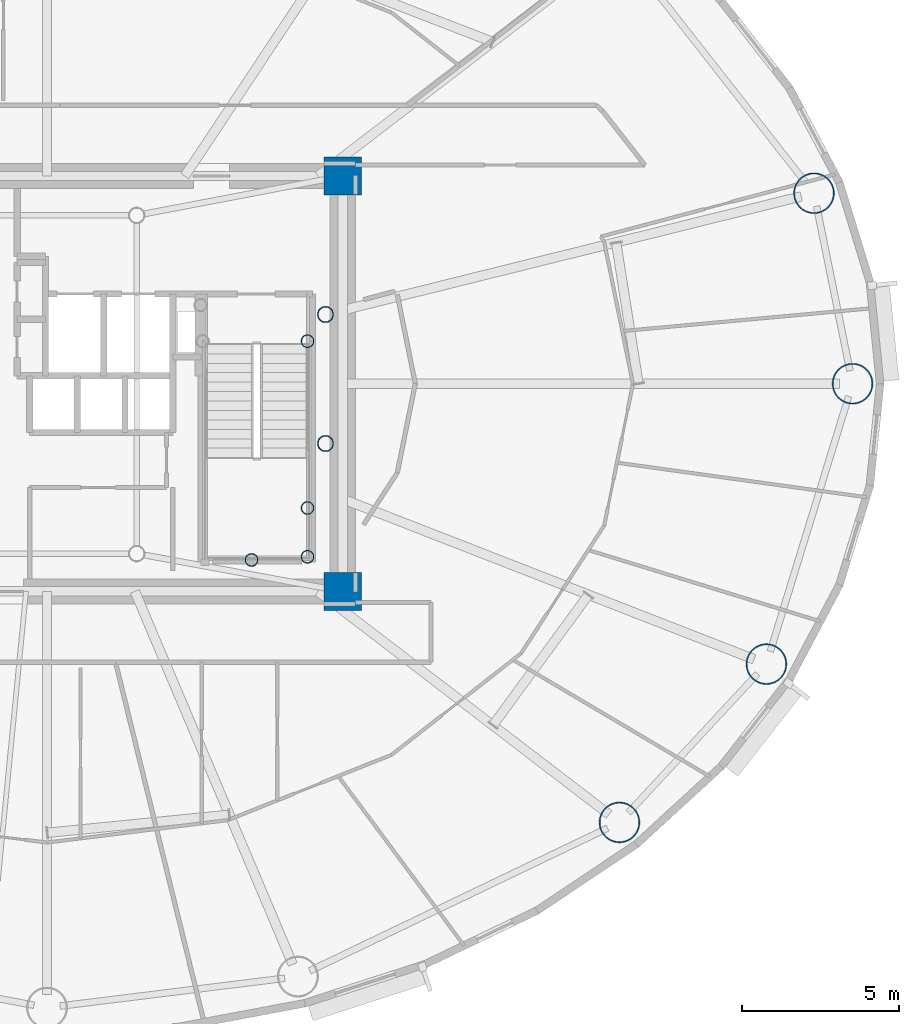
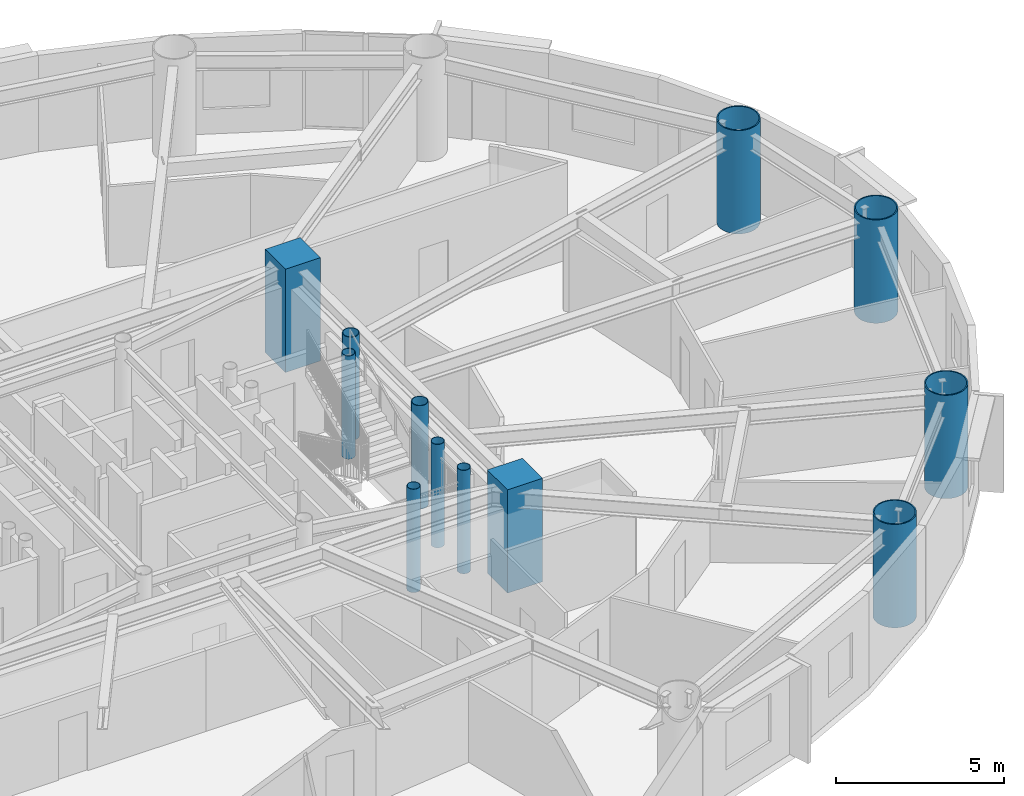
# One storey, part 2 of 21: 12 columns.
"""IFC4 building model written with IfcOpenShell, lengths in metres."""

from ifc_helpers import new_model, si_unit, direction, frame, origin, origin_2d, place, context, subcontext, project, spatial, rectangle, hollow_circle, extrude, material, material_profile, profile_set, type_object, element, save


model = new_model("IFC4")

# Units and contexts
model_context = context("Model", 3, precision=1e-05, world=origin(), true_north=direction((0.0, 1.0)))
body_context = subcontext(model_context, "Body", "Model", "MODEL_VIEW")
ifc_project = project(units=[si_unit("LENGTHUNIT", "METRE"), si_unit("AREAUNIT", "SQUARE_METRE"), si_unit("VOLUMEUNIT", "CUBIC_METRE"), si_unit("PLANEANGLEUNIT", "RADIAN"), si_unit("MASSUNIT", "GRAM", prefix="KILO")], contexts=[model_context])

# Site, building, storey
site_placement = place(None, origin())
site = spatial("IfcSite", under=ifc_project, at=site_placement, CompositionType="ELEMENT")
building_placement = place(site_placement, origin())
building = spatial("IfcBuilding", under=site, at=building_placement, Name="Linh Dai School and Residence Tower", CompositionType="ELEMENT")
storey_placement = place(building_placement, frame((0.0, 0.0, 189.89990234375)))
storey = spatial("IfcBuildingStorey", under=building, at=storey_placement, Name="L46", CompositionType="ELEMENT", Elevation=189.89990234375)

# Columns
ifc_material_1 = material(Name="Concrete B60 (C50/60)", Category="concrete")
ifc_material_profile_1 = material_profile(ifc_material_1, rectangle(XDim=1.199951171875, YDim=1.199951171875, at=origin_2d()), Name="RC 1200x1200")
ifc_profile_set_1 = profile_set([ifc_material_profile_1], Name="Concrete B60 (C50/60)")
column_type_1 = type_object("IfcColumnType", Name="COL-CC2", PredefinedType="COLUMN", material=ifc_profile_set_1)
for number, where, z_axis, x_axis, name in (
    (1, (45.39990234375, 20.39990234375, 0.0), (0.0, 0.0, 1.0), (1.0, 0.0, 0.0), "L46 Core Corner Pier CC2"),
    (2, (45.39990234375, 33.60009765625, 0.0), (0.0, 0.0, 1.0), (1.0, 0.0, 0.0), "L46 Core Corner Pier CC3"),
):
    element("IfcColumn", number, at=place(storey_placement, frame(where, z_axis=z_axis, x_axis=x_axis)), inside=storey, type_object=column_type_1, Name=name, PredefinedType="COLUMN", context=body_context, shape_type="SweptSolid", body=[
        extrude(rectangle(XDim=1.199951171875, YDim=1.199951171875, at=origin_2d()), origin(), (0.0, 0.0, 1.0), 3.75),
    ])
ifc_material_2 = material(Name="Structural Steel S355JR", Category="steel")
ifc_material_profile_2 = material_profile(ifc_material_2, hollow_circle(Radius=0.203125, WallThickness=0.01611328125, at=origin_2d()), Name="CHS 406.4x16")
ifc_profile_set_2 = profile_set([ifc_material_profile_2], Name="Structural Steel S355JR")
column_type_2 = type_object("IfcColumnType", Name="COL-EC", PredefinedType="COLUMN", material=ifc_profile_set_2)
for number, where, z_axis, x_axis, name in (
    (3, (44.280029296875, 21.5, 0.0), (0.0, 0.0, 1.0), (1.0, 0.0, 0.0), "L46 Stair Shaft Landing Support Pier ST2SE"),
    (4, (44.280029296875, 23.050048828125, 0.0), (0.0, 0.0, 1.0), (1.0, 0.0, 0.0), "L46 Stair Shaft Landing Support Pier ST2NE"),
    (5, (42.5, 21.39990234375, 0.0), (0.0, 0.0, 1.0), (1.0, 0.0, 0.0), "L46 Stair Shaft Landing Support Pier ST2MS"),
    (6, (44.280029296875, 28.35009765625, 0.0), (0.0, 0.0, 1.0), (1.0, 0.0, 0.0), "L46 Stair Shaft Landing Support Pier ST2N2"),
):
    element("IfcColumn", number, at=place(storey_placement, frame(where, z_axis=z_axis, x_axis=x_axis)), inside=storey, type_object=column_type_2, Name=name, PredefinedType="COLUMN", context=body_context, shape_type="SweptSolid", body=[
        extrude(hollow_circle(Radius=0.203125, WallThickness=0.01611328125, at=origin_2d()), origin(), (0.0, 0.0, 1.0), 3.75),
    ])
ifc_material_profile_3 = material_profile(ifc_material_2, hollow_circle(Radius=0.64990234375, WallThickness=0.0400390625, at=origin_2d()), Name="CHS 1300x40")
ifc_profile_set_3 = profile_set([ifc_material_profile_3], Name="Structural Steel S355JR")
column_type_3 = type_object("IfcColumnType", Name="COL-MC4", PredefinedType="COLUMN", material=ifc_profile_set_3)
for number, where, z_axis, x_axis, name in (
    (7, (61.60009765625, 27.0, 0.0), (0.0, 0.0, 1.0), (1.0, 0.0, 0.0), "L46 Perimeter CFT Mega-Column MC01"),
    (8, (60.37451171875, 33.053466796875, 0.0), (0.0, 0.0, 1.0), (1.0, 0.0, 0.0), "L46 Perimeter CFT Mega-Column MC02"),
    (9, (54.1923828125, 13.058349609375, 0.0), (0.0, 0.0, 1.0), (1.0, 0.0, 0.0), "L46 Perimeter CFT Mega-Column MC15"),
    (10, (58.862548828125, 18.0888671875, 0.0), (0.0, 0.0, 1.0), (1.0, 0.0, 0.0), "L46 Perimeter CFT Mega-Column MC16"),
):
    element("IfcColumn", number, at=place(storey_placement, frame(where, z_axis=z_axis, x_axis=x_axis)), inside=storey, type_object=column_type_3, Name=name, PredefinedType="COLUMN", context=body_context, shape_type="SweptSolid", body=[
        extrude(hollow_circle(Radius=0.64990234375, WallThickness=0.0400390625, at=origin_2d()), origin(), (0.0, 0.0, 1.0), 3.75),
    ])
ifc_material_profile_4 = material_profile(ifc_material_2, hollow_circle(Radius=0.25390625, WallThickness=0.02001953125, at=origin_2d()), Name="CHS 508x20")
ifc_profile_set_4 = profile_set([ifc_material_profile_4], Name="Structural Steel S355JR")
column_type_4 = type_object("IfcColumnType", Name="COL-MCP", PredefinedType="COLUMN", material=ifc_profile_set_4)
for number, where, z_axis, x_axis, name in (
    (11, (44.85009765625, 25.10009765625, 0.0), (0.0, 0.0, 1.0), (1.0, 0.0, 0.0), "L46 Sky-Lounge Core Anchor Pier S"),
    (12, (44.85009765625, 29.199951171875, 0.0), (0.0, 0.0, 1.0), (1.0, 0.0, 0.0), "L46 Sky-Lounge Core Anchor Pier N"),
):
    element("IfcColumn", number, at=place(storey_placement, frame(where, z_axis=z_axis, x_axis=x_axis)), inside=storey, type_object=column_type_4, Name=name, PredefinedType="COLUMN", context=body_context, shape_type="SweptSolid", body=[
        extrude(hollow_circle(Radius=0.25390625, WallThickness=0.02001953125, at=origin_2d()), origin(), (0.0, 0.0, 1.0), 3.75),
    ])

save(model, "model.ifc")
